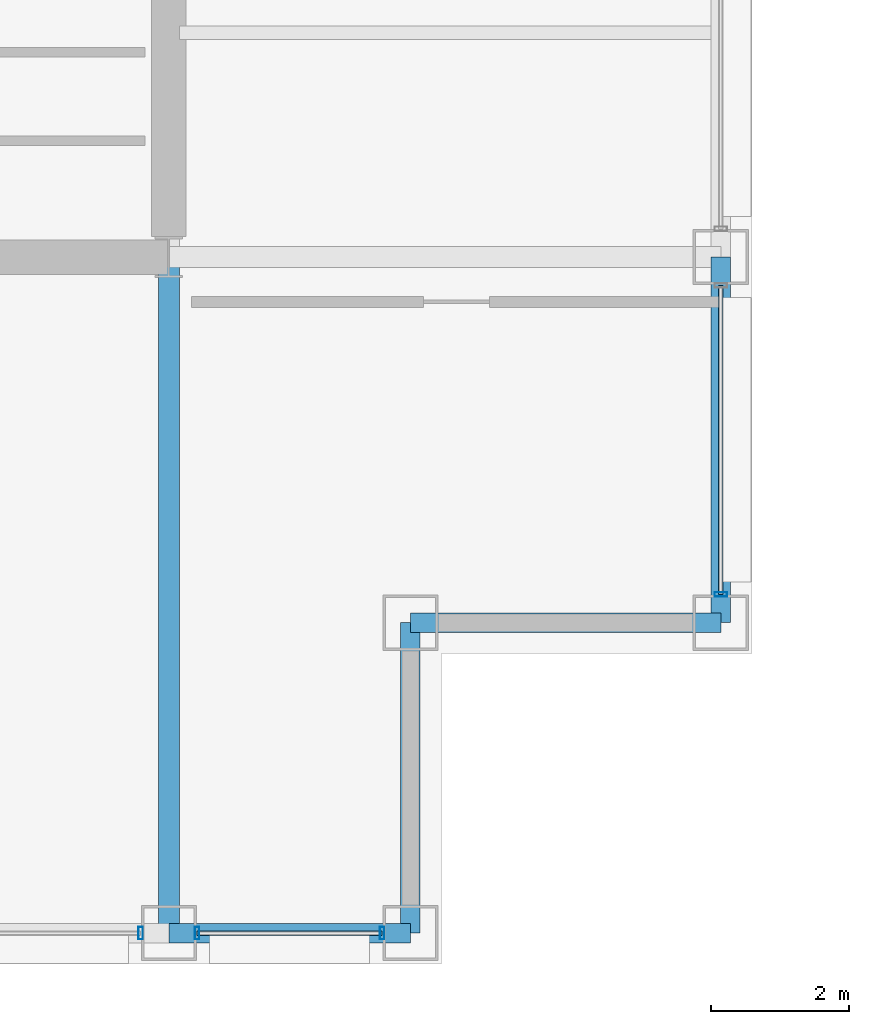
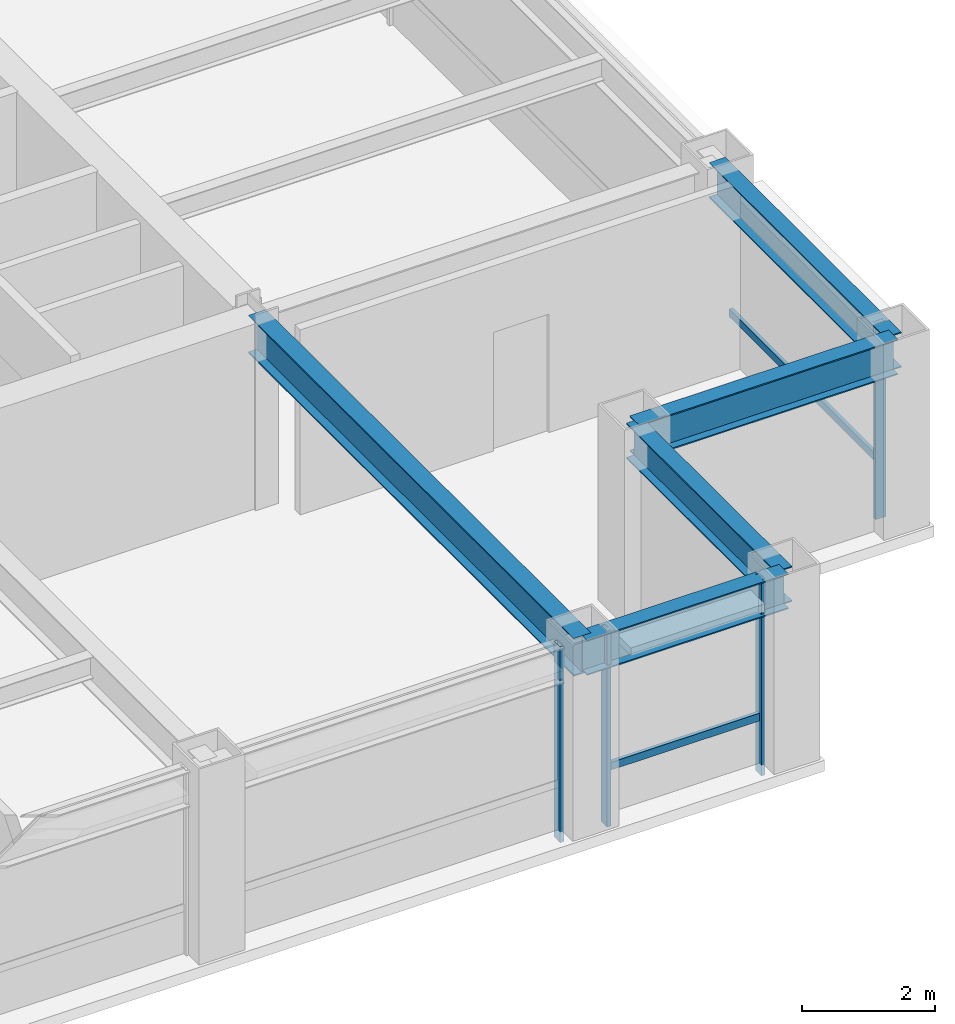
# One storey, part 11 of 28: 6 members, 5 beams, 3 elements without a shape of their own.
"""IFC4 building model written with IfcOpenShell, lengths in metres."""

from ifc_helpers import new_model, si_unit, direction, frame, origin, origin_2d, place, context, subcontext, project, spatial, hollow_rectangle, i_section, extrude, material, layer, layer_set, material_profile, profile_set, type_object, element, aggregate, save


model = new_model("IFC4")

# Units and contexts
model_context = context("Model", 3, precision=1e-05, world=origin(), true_north=direction((0.0, 1.0)))
body_context = subcontext(model_context, "Body", "Model", "MODEL_VIEW")
ifc_project = project(units=[si_unit("LENGTHUNIT", "METRE"), si_unit("AREAUNIT", "SQUARE_METRE"), si_unit("VOLUMEUNIT", "CUBIC_METRE"), si_unit("PLANEANGLEUNIT", "RADIAN"), si_unit("MASSUNIT", "GRAM", prefix="KILO")], contexts=[model_context])

# Site, building, storey
site_placement = place(None, origin())
site = spatial("IfcSite", under=ifc_project, at=site_placement, CompositionType="ELEMENT")
building_placement = place(site_placement, origin())
building = spatial("IfcBuilding", under=site, at=building_placement, Name="Brelmoor Portico Tower", CompositionType="ELEMENT")
storey_placement = place(building_placement, frame((0.0, 0.0, 142.199951171875)))
storey = spatial("IfcBuildingStorey", under=building, at=storey_placement, Name="L37", CompositionType="ELEMENT", Elevation=142.199951171875)

# Beams
ifc_material_1 = material(Name="Steel Q355B", Category="steel")
ifc_material_profile_1 = material_profile(ifc_material_1, i_section(OverallWidth=0.300048828125, OverallDepth=0.699951171875, WebThickness=0.012939453125, FlangeThickness=0.02392578125, at=origin_2d()), Name="HN 700x300x13x24")
ifc_profile_set_1 = profile_set([ifc_material_profile_1], Name="Steel Q355B")
beam_type_1 = type_object("IfcBeamType", Name="BM-PG-700", PredefinedType="BEAM", material=ifc_profile_set_1)
beam_1_placement = place(storey_placement, frame((14.550048828125, -19.550048828125, 3.050048828125), z_axis=(0.0, 1.0, 0.0), x_axis=(-1.0, 0.0, 0.0)))
element("IfcBeam", 1, at=beam_1_placement, inside=storey, type_object=beam_type_1, Name="L37 Primary Floor Girder PG-10", PredefinedType="BEAM", context=body_context, shape_type="SweptSolid", body=[
    extrude(i_section(OverallWidth=0.300048828125, OverallDepth=0.699951171875, WebThickness=0.012939453125, FlangeThickness=0.02392578125, at=origin_2d()), origin(), (0.0, 0.0, 1.0), 9.800048828125),
])
ifc_material_profile_2 = material_profile(ifc_material_1, i_section(OverallWidth=0.280029296875, OverallDepth=0.64990234375, WebThickness=0.012939453125, FlangeThickness=0.02197265625, at=origin_2d()), Name="HN 650x280x13x22")
ifc_profile_set_2 = profile_set([ifc_material_profile_2], Name="Steel Q355B")
beam_type_2 = type_object("IfcBeamType", Name="BM-SP-650", PredefinedType="SPANDREL", material=ifc_profile_set_2)
beam_2_placement = place(storey_placement, frame((14.550048828125, -19.550048828125, 3.074951171875), z_axis=(1.0, 0.0, 0.0), x_axis=(0.0, 1.0, 0.0)))
element("IfcBeam", 2, at=beam_2_placement, inside=storey, type_object=beam_type_2, Name="L37 Perimeter Spandrel Beam SP-05", PredefinedType="SPANDREL", context=body_context, shape_type="SweptSolid", body=[
    extrude(i_section(OverallWidth=0.280029296875, OverallDepth=0.64990234375, WebThickness=0.012939453125, FlangeThickness=0.02197265625, at=origin_2d()), origin(), (0.0, 0.0, 1.0), 3.5),
])
for number, where, z_axis, x_axis, name in (
    (3, (18.050048828125, -15.050048828125, 3.074951171875), (1.0, 0.0, 0.0), (0.0, 1.0, 0.0), "L37 Perimeter Spandrel Beam SP-07"),
    (4, (18.050048828125, -19.550048828125, 3.074951171875), (0.0, 1.0, 0.0), (-1.0, 0.0, 0.0), "L37 Perimeter Spandrel Beam SP-20"),
):
    element("IfcBeam", number, at=place(storey_placement, frame(where, z_axis=z_axis, x_axis=x_axis)), inside=storey, type_object=beam_type_2, Name=name, PredefinedType="SPANDREL", context=body_context, shape_type="SweptSolid", body=[
        extrude(i_section(OverallWidth=0.280029296875, OverallDepth=0.64990234375, WebThickness=0.012939453125, FlangeThickness=0.02197265625, at=origin_2d()), origin(), (0.0, 0.0, 1.0), 4.5),
    ])
beam_3_placement = place(storey_placement, frame((22.550048828125, -15.050048828125, 3.074951171875), z_axis=(0.0, 1.0, 0.0), x_axis=(-1.0, 0.0, 0.0)))
element("IfcBeam", 5, at=beam_3_placement, inside=storey, type_object=beam_type_2, Name="L37 Perimeter Spandrel Beam SP-22", PredefinedType="SPANDREL", context=body_context, shape_type="SweptSolid", body=[
    extrude(i_section(OverallWidth=0.280029296875, OverallDepth=0.64990234375, WebThickness=0.012939453125, FlangeThickness=0.02197265625, at=origin_2d()), origin(), (0.0, 0.0, 1.0), 5.300048828125),
])

# Curtain wall, member
ifc_material_2 = material(Name="Anodised Aluminium Alloy 6063-T6", Category="aluminium")
ifc_layer = layer(ifc_material_2, 0.179931640625)
ifc_layer_set = layer_set([ifc_layer], Name="Anodised Aluminium Alloy 6063-T6")
curtain_wall_type = type_object("IfcCurtainWallType", Name="CW-TOWER-Z2", PredefinedType="NOTDEFINED", material=ifc_layer_set)
curtain_wall_1_placement = place(storey_placement, origin())
curtain_wall_1 = element("IfcCurtainWall", 6, at=curtain_wall_1_placement, inside=storey, type_object=curtain_wall_type, Name="L37 Curtain Wall CW-L37-01-4", PredefinedType="NOTDEFINED")
ifc_material_profile_3 = material_profile(ifc_material_2, hollow_rectangle(XDim=0.06494140625, YDim=0.179931640625, WallThickness=0.00390625, at=origin_2d()), Name="ALU MULLION 65x180")
ifc_profile_set_3 = profile_set([ifc_material_profile_3], Name="Anodised Aluminium Alloy 6063-T6")
member_type_1 = type_object("IfcMemberType", Name="MB-CW-MULL-180", PredefinedType="MULLION", material=ifc_profile_set_3)
member_1_placement = place(storey_placement, frame((14.139892578125, -19.550048828125, -0.199951171875), z_axis=(0.0, 0.0, 1.0), x_axis=(1.0, 0.0, 0.0)))
member_1 = element("IfcMember", 7, at=member_1_placement, type_object=member_type_1, Name="CW-L37-01-4 Mullion 01", PredefinedType="MULLION", context=body_context, shape_type="SweptSolid", body=[
    extrude(hollow_rectangle(XDim=0.06494140625, YDim=0.179931640625, WallThickness=0.00390625, at=origin_2d()), origin(), (0.0, 0.0, 1.0), 3.60009765625),
])
aggregate(curtain_wall_1, [member_1])

# Curtain wall, members
curtain_wall_2_placement = place(storey_placement, origin())
curtain_wall_2 = element("IfcCurtainWall", 8, at=curtain_wall_2_placement, inside=storey, type_object=curtain_wall_type, Name="L37 Curtain Wall CW-L37-01-5", PredefinedType="NOTDEFINED")
member_2_placement = place(storey_placement, frame((14.9599609375, -19.550048828125, -0.199951171875), z_axis=(0.0, 0.0, 1.0), x_axis=(1.0, 0.0, 0.0)))
member_2 = element("IfcMember", 9, at=member_2_placement, type_object=member_type_1, Name="CW-L37-01-5 Mullion 00", PredefinedType="MULLION", context=body_context, shape_type="SweptSolid", body=[
    extrude(hollow_rectangle(XDim=0.06494140625, YDim=0.179931640625, WallThickness=0.00390625, at=origin_2d()), origin(), (0.0, 0.0, 1.0), 3.60009765625),
])
member_3_placement = place(storey_placement, frame((17.639892578125, -19.550048828125, -0.199951171875), z_axis=(0.0, 0.0, 1.0), x_axis=(1.0, 0.0, 0.0)))
member_3 = element("IfcMember", 10, at=member_3_placement, type_object=member_type_1, Name="CW-L37-01-5 Mullion 01", PredefinedType="MULLION", context=body_context, shape_type="SweptSolid", body=[
    extrude(hollow_rectangle(XDim=0.06494140625, YDim=0.179931640625, WallThickness=0.00390625, at=origin_2d()), origin(), (0.0, 0.0, 1.0), 3.60009765625),
])

# Curtain wall, member
curtain_wall_3_placement = place(storey_placement, origin())
curtain_wall_3 = element("IfcCurtainWall", 11, at=curtain_wall_3_placement, inside=storey, type_object=curtain_wall_type, Name="L37 Curtain Wall CW-L37-04-1", PredefinedType="NOTDEFINED")
member_4_placement = place(storey_placement, frame((22.550048828125, -14.639892578125, -0.199951171875), z_axis=(0.0, 0.0, 1.0), x_axis=(0.0, 1.0, 0.0)))
member_4 = element("IfcMember", 12, at=member_4_placement, type_object=member_type_1, Name="CW-L37-04-1 Mullion 00", PredefinedType="MULLION", context=body_context, shape_type="SweptSolid", body=[
    extrude(hollow_rectangle(XDim=0.06494140625, YDim=0.179931640625, WallThickness=0.00390625, at=origin_2d()), origin(), (0.0, 0.0, 1.0), 3.60009765625),
])

# Member
ifc_material_profile_4 = material_profile(ifc_material_2, hollow_rectangle(XDim=0.06494140625, YDim=0.139892578125, WallThickness=0.00390625, at=origin_2d()), Name="ALU TRANSOM 65x140")
ifc_profile_set_4 = profile_set([ifc_material_profile_4], Name="Anodised Aluminium Alloy 6063-T6")
member_type_2 = type_object("IfcMemberType", Name="MB-CW-TRAN-140", PredefinedType="USERDEFINED", material=ifc_profile_set_4)
member_5_placement = place(storey_placement, frame((14.9599609375, -19.550048828125, 0.85009765625), z_axis=(1.0, 0.0, 0.0), x_axis=(0.0, 1.0, 0.0)))
member_5 = element("IfcMember", 13, at=member_5_placement, type_object=member_type_2, Name="CW-L37-01-5 Transom 1-00", ObjectType="TRANSOM", PredefinedType="USERDEFINED", context=body_context, shape_type="SweptSolid", body=[
    extrude(hollow_rectangle(XDim=0.06494140625, YDim=0.139892578125, WallThickness=0.00390625, at=origin_2d()), origin(), (0.0, 0.0, 1.0), 2.679931640625),
])

aggregate(curtain_wall_2, [member_2, member_3, member_5])

member_6_placement = place(storey_placement, frame((22.550048828125, -14.639892578125, 0.85009765625), z_axis=(0.0, 1.0, 0.0), x_axis=(-1.0, 0.0, 0.0)))
member_6 = element("IfcMember", 14, at=member_6_placement, type_object=member_type_2, Name="CW-L37-04-1 Transom 1-00", ObjectType="TRANSOM", PredefinedType="USERDEFINED", context=body_context, shape_type="SweptSolid", body=[
    extrude(hollow_rectangle(XDim=0.06494140625, YDim=0.139892578125, WallThickness=0.00390625, at=origin_2d()), origin(), (0.0, 0.0, 1.0), 4.47998046875),
])

aggregate(curtain_wall_3, [member_4, member_6])

save(model, "model.ifc")
